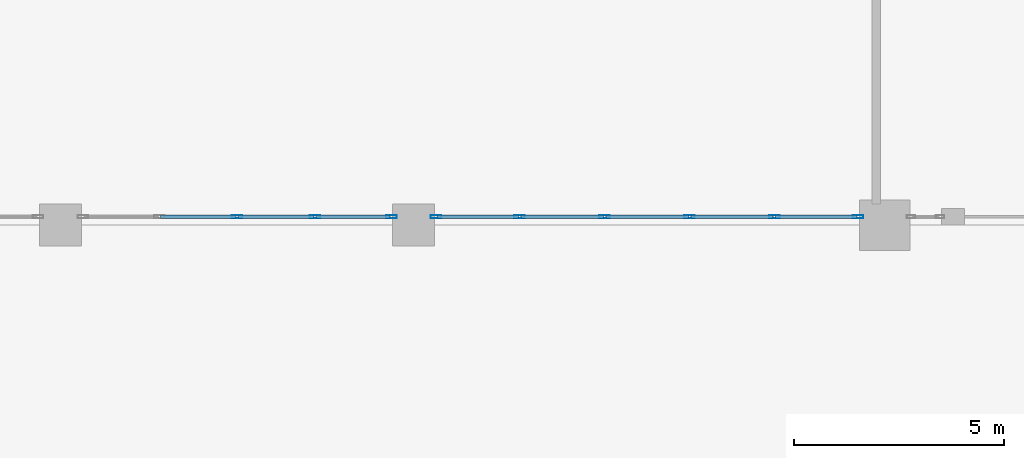
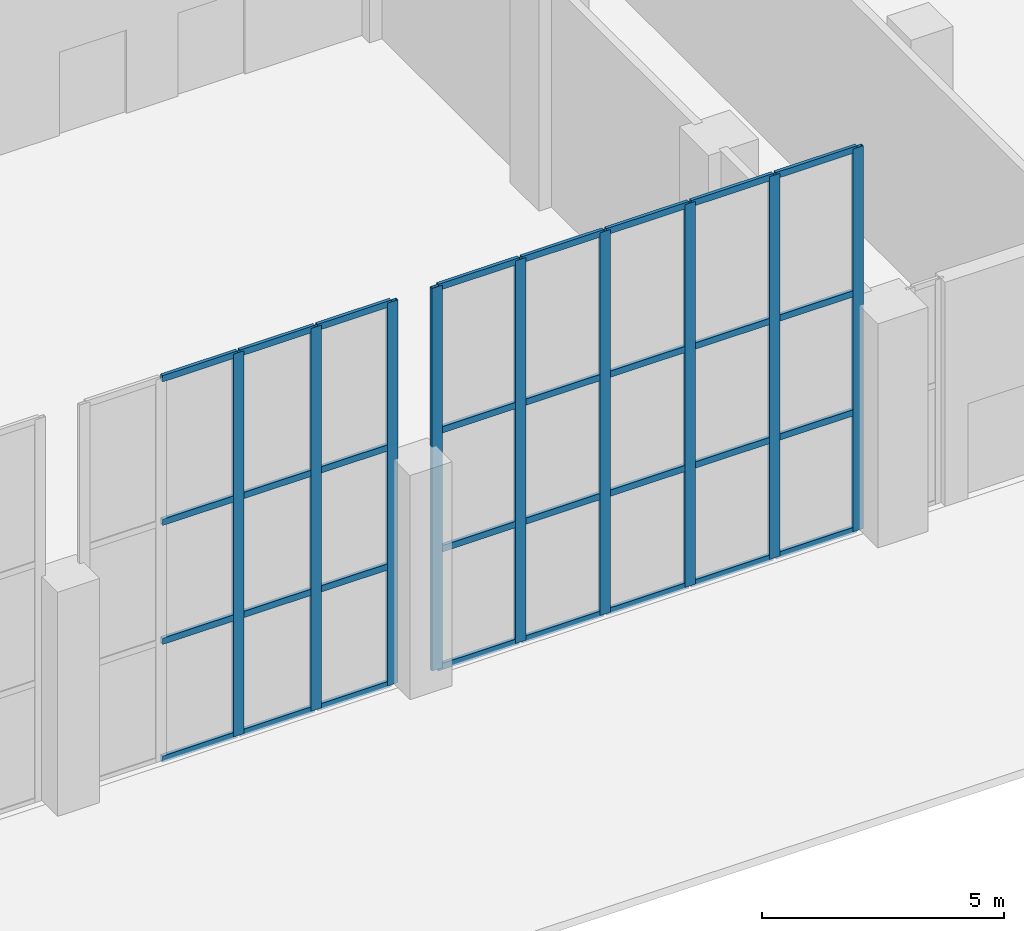
# One storey, part 5 of 25: 41 members, 2 elements without a shape of their own.
"""IFC4 building model written with IfcOpenShell, lengths in metres."""

from ifc_helpers import new_model, si_unit, direction, frame, origin, origin_2d, place, context, subcontext, project, spatial, hollow_rectangle, extrude, material, material_profile, profile_set, type_object, element, aggregate, save


model = new_model("IFC4")

# Units and contexts
model_context = context("Model", 3, precision=1e-05, world=origin(), true_north=direction((0.0, 1.0)))
body_context = subcontext(model_context, "Body", "Model", "MODEL_VIEW")
ifc_project = project(units=[si_unit("LENGTHUNIT", "METRE"), si_unit("AREAUNIT", "SQUARE_METRE"), si_unit("VOLUMEUNIT", "CUBIC_METRE"), si_unit("PLANEANGLEUNIT", "RADIAN"), si_unit("MASSUNIT", "GRAM", prefix="KILO")], contexts=[model_context])

# Site, building, storey
site_placement = place(None, origin())
site = spatial("IfcSite", under=ifc_project, at=site_placement, CompositionType="ELEMENT")
building_placement = place(site_placement, origin())
building = spatial("IfcBuilding", under=site, at=building_placement, Name="Ostrander Bayou Hotel Tower", CompositionType="ELEMENT")
storey_placement = place(building_placement, origin())
storey = spatial("IfcBuildingStorey", under=building, at=storey_placement, Name="L00", CompositionType="ELEMENT", Elevation=0.0)

# Curtain wall, members
ifc_material_1 = material(Name="Aluminium and clear glass", Category="aluminium")
curtain_wall_type = type_object("IfcCurtainWallType", Name="CW-BALL glazed wall", PredefinedType="NOTDEFINED", material=ifc_material_1)
curtain_wall_1_placement = place(storey_placement, origin())
curtain_wall_1 = element("IfcCurtainWall", 1, at=curtain_wall_1_placement, inside=storey, type_object=curtain_wall_type, Name="CW-BALL L00:6", PredefinedType="NOTDEFINED")
ifc_material_2 = material(Name="Aluminium", Category="aluminium")
ifc_material_profile_1 = material_profile(ifc_material_2, hollow_rectangle(XDim=0.080078125, YDim=0.25, WallThickness=0.00390625, at=origin_2d()))
ifc_profile_set_1 = profile_set([ifc_material_profile_1], Name="Aluminium")
member_type_1 = type_object("IfcMemberType", Name="CW-BL mullion 80 x 250 mm", PredefinedType="MULLION", material=ifc_profile_set_1)
member_1_placement = place(storey_placement, frame((-14.6298828125, -50.199951171875, 0.0), z_axis=(0.0, 0.0, 1.0), x_axis=(0.0, -1.0, 0.0)))
member_1 = element("IfcMember", 2, at=member_1_placement, type_object=member_type_1, Name="CW-BALL mullion 1", PredefinedType="MULLION", context=body_context, shape_type="SweptSolid", body=[
    extrude(hollow_rectangle(XDim=0.080078125, YDim=0.25, WallThickness=0.00390625, at=origin_2d()), origin(), (0.0, 0.0, 1.0), 9.64990234375),
])
member_2_placement = place(storey_placement, frame((-16.6201171875, -50.199951171875, 0.0), z_axis=(0.0, 0.0, 1.0), x_axis=(0.0, -1.0, 0.0)))
member_2 = element("IfcMember", 3, at=member_2_placement, type_object=member_type_1, Name="CW-BALL mullion 2", PredefinedType="MULLION", context=body_context, shape_type="SweptSolid", body=[
    extrude(hollow_rectangle(XDim=0.080078125, YDim=0.25, WallThickness=0.00390625, at=origin_2d()), origin(), (0.0, 0.0, 1.0), 9.64990234375),
])
member_3_placement = place(storey_placement, frame((-18.639892578125, -50.199951171875, 0.0), z_axis=(0.0, 0.0, 1.0), x_axis=(0.0, -1.0, 0.0)))
member_3 = element("IfcMember", 4, at=member_3_placement, type_object=member_type_1, Name="CW-BALL mullion 3", PredefinedType="MULLION", context=body_context, shape_type="SweptSolid", body=[
    extrude(hollow_rectangle(XDim=0.080078125, YDim=0.25, WallThickness=0.00390625, at=origin_2d()), origin(), (0.0, 0.0, 1.0), 9.64990234375),
])
member_4_placement = place(storey_placement, frame((-20.659912109375, -50.199951171875, 0.0), z_axis=(0.0, 0.0, 1.0), x_axis=(0.0, -1.0, 0.0)))
member_4 = element("IfcMember", 5, at=member_4_placement, type_object=member_type_1, Name="CW-BALL mullion 4", PredefinedType="MULLION", context=body_context, shape_type="SweptSolid", body=[
    extrude(hollow_rectangle(XDim=0.080078125, YDim=0.25, WallThickness=0.00390625, at=origin_2d()), origin(), (0.0, 0.0, 1.0), 9.64990234375),
])
member_5_placement = place(storey_placement, frame((-22.679931640625, -50.199951171875, 0.0), z_axis=(0.0, 0.0, 1.0), x_axis=(0.0, -1.0, 0.0)))
member_5 = element("IfcMember", 6, at=member_5_placement, type_object=member_type_1, Name="CW-BALL mullion 5", PredefinedType="MULLION", context=body_context, shape_type="SweptSolid", body=[
    extrude(hollow_rectangle(XDim=0.080078125, YDim=0.25, WallThickness=0.00390625, at=origin_2d()), origin(), (0.0, 0.0, 1.0), 9.64990234375),
])
member_6_placement = place(storey_placement, frame((-24.669921875, -50.199951171875, 0.0), z_axis=(0.0, 0.0, 1.0), x_axis=(0.0, -1.0, 0.0)))
member_6 = element("IfcMember", 7, at=member_6_placement, type_object=member_type_1, Name="CW-BALL mullion 6", PredefinedType="MULLION", context=body_context, shape_type="SweptSolid", body=[
    extrude(hollow_rectangle(XDim=0.080078125, YDim=0.25, WallThickness=0.00390625, at=origin_2d()), origin(), (0.0, 0.0, 1.0), 9.64990234375),
])

curtain_wall_2_placement = place(storey_placement, origin())
curtain_wall_2 = element("IfcCurtainWall", 8, at=curtain_wall_2_placement, inside=storey, type_object=curtain_wall_type, Name="CW-BALL L00:7", PredefinedType="NOTDEFINED")
member_7_placement = place(storey_placement, frame((-25.72998046875, -50.199951171875, 0.0), z_axis=(0.0, 0.0, 1.0), x_axis=(0.0, -1.0, 0.0)))
member_7 = element("IfcMember", 9, at=member_7_placement, type_object=member_type_1, Name="CW-BALL mullion 1", PredefinedType="MULLION", context=body_context, shape_type="SweptSolid", body=[
    extrude(hollow_rectangle(XDim=0.080078125, YDim=0.25, WallThickness=0.00390625, at=origin_2d()), origin(), (0.0, 0.0, 1.0), 9.64990234375),
])
member_8_placement = place(storey_placement, frame((-27.550048828125, -50.199951171875, 0.0), z_axis=(0.0, 0.0, 1.0), x_axis=(0.0, -1.0, 0.0)))
member_8 = element("IfcMember", 10, at=member_8_placement, type_object=member_type_1, Name="CW-BALL mullion 2", PredefinedType="MULLION", context=body_context, shape_type="SweptSolid", body=[
    extrude(hollow_rectangle(XDim=0.080078125, YDim=0.25, WallThickness=0.00390625, at=origin_2d()), origin(), (0.0, 0.0, 1.0), 9.64990234375),
])
member_9_placement = place(storey_placement, frame((-29.39990234375, -50.199951171875, 0.0), z_axis=(0.0, 0.0, 1.0), x_axis=(0.0, -1.0, 0.0)))
member_9 = element("IfcMember", 11, at=member_9_placement, type_object=member_type_1, Name="CW-BALL mullion 3", PredefinedType="MULLION", context=body_context, shape_type="SweptSolid", body=[
    extrude(hollow_rectangle(XDim=0.080078125, YDim=0.25, WallThickness=0.00390625, at=origin_2d()), origin(), (0.0, 0.0, 1.0), 9.64990234375),
])

# Member
ifc_material_3 = material(Name="Aluminium", Category="aluminium")
ifc_material_profile_2 = material_profile(ifc_material_3, hollow_rectangle(XDim=0.080078125, YDim=0.159912109375, WallThickness=0.00390625, at=origin_2d()))
ifc_profile_set_2 = profile_set([ifc_material_profile_2], Name="Aluminium")
member_type_2 = type_object("IfcMemberType", Name="CW-BL transom 80 x 160 mm", PredefinedType="USERDEFINED", material=ifc_profile_set_2)
member_10_placement = place(storey_placement, frame((-14.659912109375, -50.199951171875, 0.030029296875), z_axis=(-1.0, 0.0, 0.0), x_axis=(0.0, -1.0, 0.0)))
member_10 = element("IfcMember", 12, at=member_10_placement, type_object=member_type_2, Name="CW-BALL transom 1.1", ObjectType="TRANSOM", PredefinedType="USERDEFINED", context=body_context, shape_type="SweptSolid", body=[
    extrude(hollow_rectangle(XDim=0.080078125, YDim=0.159912109375, WallThickness=0.00390625, at=origin_2d()), origin(), (0.0, 0.0, 1.0), 1.93017578125),
])

member_11_placement = place(storey_placement, frame((-14.659912109375, -50.199951171875, 3.0), z_axis=(-1.0, 0.0, 0.0), x_axis=(0.0, -1.0, 0.0)))
member_11 = element("IfcMember", 13, at=member_11_placement, type_object=member_type_2, Name="CW-BALL transom 1.2", ObjectType="TRANSOM", PredefinedType="USERDEFINED", context=body_context, shape_type="SweptSolid", body=[
    extrude(hollow_rectangle(XDim=0.080078125, YDim=0.159912109375, WallThickness=0.00390625, at=origin_2d()), origin(), (0.0, 0.0, 1.0), 1.93017578125),
])

member_12_placement = place(storey_placement, frame((-14.659912109375, -50.199951171875, 6.0), z_axis=(-1.0, 0.0, 0.0), x_axis=(0.0, -1.0, 0.0)))
member_12 = element("IfcMember", 14, at=member_12_placement, type_object=member_type_2, Name="CW-BALL transom 1.3", ObjectType="TRANSOM", PredefinedType="USERDEFINED", context=body_context, shape_type="SweptSolid", body=[
    extrude(hollow_rectangle(XDim=0.080078125, YDim=0.159912109375, WallThickness=0.00390625, at=origin_2d()), origin(), (0.0, 0.0, 1.0), 1.93017578125),
])

member_13_placement = place(storey_placement, frame((-14.659912109375, -50.199951171875, 9.6201171875), z_axis=(-1.0, 0.0, 0.0), x_axis=(0.0, -1.0, 0.0)))
member_13 = element("IfcMember", 15, at=member_13_placement, type_object=member_type_2, Name="CW-BALL transom 1.4", ObjectType="TRANSOM", PredefinedType="USERDEFINED", context=body_context, shape_type="SweptSolid", body=[
    extrude(hollow_rectangle(XDim=0.080078125, YDim=0.159912109375, WallThickness=0.00390625, at=origin_2d()), origin(), (0.0, 0.0, 1.0), 1.93017578125),
])

member_14_placement = place(storey_placement, frame((-16.64990234375, -50.199951171875, 0.030029296875), z_axis=(-1.0, 0.0, 0.0), x_axis=(0.0, -1.0, 0.0)))
member_14 = element("IfcMember", 16, at=member_14_placement, type_object=member_type_2, Name="CW-BALL transom 2.1", ObjectType="TRANSOM", PredefinedType="USERDEFINED", context=body_context, shape_type="SweptSolid", body=[
    extrude(hollow_rectangle(XDim=0.080078125, YDim=0.159912109375, WallThickness=0.00390625, at=origin_2d()), origin(), (0.0, 0.0, 1.0), 1.960205078125),
])

member_15_placement = place(storey_placement, frame((-16.64990234375, -50.199951171875, 3.0), z_axis=(-1.0, 0.0, 0.0), x_axis=(0.0, -1.0, 0.0)))
member_15 = element("IfcMember", 17, at=member_15_placement, type_object=member_type_2, Name="CW-BALL transom 2.2", ObjectType="TRANSOM", PredefinedType="USERDEFINED", context=body_context, shape_type="SweptSolid", body=[
    extrude(hollow_rectangle(XDim=0.080078125, YDim=0.159912109375, WallThickness=0.00390625, at=origin_2d()), origin(), (0.0, 0.0, 1.0), 1.960205078125),
])

member_16_placement = place(storey_placement, frame((-16.64990234375, -50.199951171875, 6.0), z_axis=(-1.0, 0.0, 0.0), x_axis=(0.0, -1.0, 0.0)))
member_16 = element("IfcMember", 18, at=member_16_placement, type_object=member_type_2, Name="CW-BALL transom 2.3", ObjectType="TRANSOM", PredefinedType="USERDEFINED", context=body_context, shape_type="SweptSolid", body=[
    extrude(hollow_rectangle(XDim=0.080078125, YDim=0.159912109375, WallThickness=0.00390625, at=origin_2d()), origin(), (0.0, 0.0, 1.0), 1.960205078125),
])

member_17_placement = place(storey_placement, frame((-16.64990234375, -50.199951171875, 9.6201171875), z_axis=(-1.0, 0.0, 0.0), x_axis=(0.0, -1.0, 0.0)))
member_17 = element("IfcMember", 19, at=member_17_placement, type_object=member_type_2, Name="CW-BALL transom 2.4", ObjectType="TRANSOM", PredefinedType="USERDEFINED", context=body_context, shape_type="SweptSolid", body=[
    extrude(hollow_rectangle(XDim=0.080078125, YDim=0.159912109375, WallThickness=0.00390625, at=origin_2d()), origin(), (0.0, 0.0, 1.0), 1.960205078125),
])

member_18_placement = place(storey_placement, frame((-18.669921875, -50.199951171875, 0.030029296875), z_axis=(-1.0, 0.0, 0.0), x_axis=(0.0, -1.0, 0.0)))
member_18 = element("IfcMember", 20, at=member_18_placement, type_object=member_type_2, Name="CW-BALL transom 3.1", ObjectType="TRANSOM", PredefinedType="USERDEFINED", context=body_context, shape_type="SweptSolid", body=[
    extrude(hollow_rectangle(XDim=0.080078125, YDim=0.159912109375, WallThickness=0.00390625, at=origin_2d()), origin(), (0.0, 0.0, 1.0), 1.9599609375),
])

member_19_placement = place(storey_placement, frame((-18.669921875, -50.199951171875, 3.0), z_axis=(-1.0, 0.0, 0.0), x_axis=(0.0, -1.0, 0.0)))
member_19 = element("IfcMember", 21, at=member_19_placement, type_object=member_type_2, Name="CW-BALL transom 3.2", ObjectType="TRANSOM", PredefinedType="USERDEFINED", context=body_context, shape_type="SweptSolid", body=[
    extrude(hollow_rectangle(XDim=0.080078125, YDim=0.159912109375, WallThickness=0.00390625, at=origin_2d()), origin(), (0.0, 0.0, 1.0), 1.9599609375),
])

member_20_placement = place(storey_placement, frame((-18.669921875, -50.199951171875, 6.0), z_axis=(-1.0, 0.0, 0.0), x_axis=(0.0, -1.0, 0.0)))
member_20 = element("IfcMember", 22, at=member_20_placement, type_object=member_type_2, Name="CW-BALL transom 3.3", ObjectType="TRANSOM", PredefinedType="USERDEFINED", context=body_context, shape_type="SweptSolid", body=[
    extrude(hollow_rectangle(XDim=0.080078125, YDim=0.159912109375, WallThickness=0.00390625, at=origin_2d()), origin(), (0.0, 0.0, 1.0), 1.9599609375),
])

member_21_placement = place(storey_placement, frame((-18.669921875, -50.199951171875, 9.6201171875), z_axis=(-1.0, 0.0, 0.0), x_axis=(0.0, -1.0, 0.0)))
member_21 = element("IfcMember", 23, at=member_21_placement, type_object=member_type_2, Name="CW-BALL transom 3.4", ObjectType="TRANSOM", PredefinedType="USERDEFINED", context=body_context, shape_type="SweptSolid", body=[
    extrude(hollow_rectangle(XDim=0.080078125, YDim=0.159912109375, WallThickness=0.00390625, at=origin_2d()), origin(), (0.0, 0.0, 1.0), 1.9599609375),
])

member_22_placement = place(storey_placement, frame((-20.68994140625, -50.199951171875, 0.030029296875), z_axis=(-1.0, 0.0, 0.0), x_axis=(0.0, -1.0, 0.0)))
member_22 = element("IfcMember", 24, at=member_22_placement, type_object=member_type_2, Name="CW-BALL transom 4.1", ObjectType="TRANSOM", PredefinedType="USERDEFINED", context=body_context, shape_type="SweptSolid", body=[
    extrude(hollow_rectangle(XDim=0.080078125, YDim=0.159912109375, WallThickness=0.00390625, at=origin_2d()), origin(), (0.0, 0.0, 1.0), 1.9599609375),
])

member_23_placement = place(storey_placement, frame((-20.68994140625, -50.199951171875, 3.0), z_axis=(-1.0, 0.0, 0.0), x_axis=(0.0, -1.0, 0.0)))
member_23 = element("IfcMember", 25, at=member_23_placement, type_object=member_type_2, Name="CW-BALL transom 4.2", ObjectType="TRANSOM", PredefinedType="USERDEFINED", context=body_context, shape_type="SweptSolid", body=[
    extrude(hollow_rectangle(XDim=0.080078125, YDim=0.159912109375, WallThickness=0.00390625, at=origin_2d()), origin(), (0.0, 0.0, 1.0), 1.9599609375),
])

member_24_placement = place(storey_placement, frame((-20.68994140625, -50.199951171875, 6.0), z_axis=(-1.0, 0.0, 0.0), x_axis=(0.0, -1.0, 0.0)))
member_24 = element("IfcMember", 26, at=member_24_placement, type_object=member_type_2, Name="CW-BALL transom 4.3", ObjectType="TRANSOM", PredefinedType="USERDEFINED", context=body_context, shape_type="SweptSolid", body=[
    extrude(hollow_rectangle(XDim=0.080078125, YDim=0.159912109375, WallThickness=0.00390625, at=origin_2d()), origin(), (0.0, 0.0, 1.0), 1.9599609375),
])

member_25_placement = place(storey_placement, frame((-20.68994140625, -50.199951171875, 9.6201171875), z_axis=(-1.0, 0.0, 0.0), x_axis=(0.0, -1.0, 0.0)))
member_25 = element("IfcMember", 27, at=member_25_placement, type_object=member_type_2, Name="CW-BALL transom 4.4", ObjectType="TRANSOM", PredefinedType="USERDEFINED", context=body_context, shape_type="SweptSolid", body=[
    extrude(hollow_rectangle(XDim=0.080078125, YDim=0.159912109375, WallThickness=0.00390625, at=origin_2d()), origin(), (0.0, 0.0, 1.0), 1.9599609375),
])

member_26_placement = place(storey_placement, frame((-22.7099609375, -50.199951171875, 0.030029296875), z_axis=(-1.0, 0.0, 0.0), x_axis=(0.0, -1.0, 0.0)))
member_26 = element("IfcMember", 28, at=member_26_placement, type_object=member_type_2, Name="CW-BALL transom 5.1", ObjectType="TRANSOM", PredefinedType="USERDEFINED", context=body_context, shape_type="SweptSolid", body=[
    extrude(hollow_rectangle(XDim=0.080078125, YDim=0.159912109375, WallThickness=0.00390625, at=origin_2d()), origin(), (0.0, 0.0, 1.0), 1.929931640625),
])

member_27_placement = place(storey_placement, frame((-22.7099609375, -50.199951171875, 3.0), z_axis=(-1.0, 0.0, 0.0), x_axis=(0.0, -1.0, 0.0)))
member_27 = element("IfcMember", 29, at=member_27_placement, type_object=member_type_2, Name="CW-BALL transom 5.2", ObjectType="TRANSOM", PredefinedType="USERDEFINED", context=body_context, shape_type="SweptSolid", body=[
    extrude(hollow_rectangle(XDim=0.080078125, YDim=0.159912109375, WallThickness=0.00390625, at=origin_2d()), origin(), (0.0, 0.0, 1.0), 1.929931640625),
])

member_28_placement = place(storey_placement, frame((-22.7099609375, -50.199951171875, 6.0), z_axis=(-1.0, 0.0, 0.0), x_axis=(0.0, -1.0, 0.0)))
member_28 = element("IfcMember", 30, at=member_28_placement, type_object=member_type_2, Name="CW-BALL transom 5.3", ObjectType="TRANSOM", PredefinedType="USERDEFINED", context=body_context, shape_type="SweptSolid", body=[
    extrude(hollow_rectangle(XDim=0.080078125, YDim=0.159912109375, WallThickness=0.00390625, at=origin_2d()), origin(), (0.0, 0.0, 1.0), 1.929931640625),
])

member_29_placement = place(storey_placement, frame((-22.7099609375, -50.199951171875, 9.6201171875), z_axis=(-1.0, 0.0, 0.0), x_axis=(0.0, -1.0, 0.0)))
member_29 = element("IfcMember", 31, at=member_29_placement, type_object=member_type_2, Name="CW-BALL transom 5.4", ObjectType="TRANSOM", PredefinedType="USERDEFINED", context=body_context, shape_type="SweptSolid", body=[
    extrude(hollow_rectangle(XDim=0.080078125, YDim=0.159912109375, WallThickness=0.00390625, at=origin_2d()), origin(), (0.0, 0.0, 1.0), 1.929931640625),
])

aggregate(curtain_wall_1, [member_1, member_2, member_3, member_4, member_5, member_6, member_10, member_11, member_12, member_13, member_14, member_15, member_16, member_17, member_18, member_19, member_20, member_21, member_22, member_23, member_24, member_25, member_26, member_27, member_28, member_29])

member_30_placement = place(storey_placement, frame((-25.760009765625, -50.199951171875, 0.030029296875), z_axis=(-1.0, 0.0, 0.0), x_axis=(0.0, -1.0, 0.0)))
member_30 = element("IfcMember", 32, at=member_30_placement, type_object=member_type_2, Name="CW-BALL transom 1.1", ObjectType="TRANSOM", PredefinedType="USERDEFINED", context=body_context, shape_type="SweptSolid", body=[
    extrude(hollow_rectangle(XDim=0.080078125, YDim=0.159912109375, WallThickness=0.00390625, at=origin_2d()), origin(), (0.0, 0.0, 1.0), 1.760009765625),
])

member_31_placement = place(storey_placement, frame((-25.760009765625, -50.199951171875, 3.0), z_axis=(-1.0, 0.0, 0.0), x_axis=(0.0, -1.0, 0.0)))
member_31 = element("IfcMember", 33, at=member_31_placement, type_object=member_type_2, Name="CW-BALL transom 1.2", ObjectType="TRANSOM", PredefinedType="USERDEFINED", context=body_context, shape_type="SweptSolid", body=[
    extrude(hollow_rectangle(XDim=0.080078125, YDim=0.159912109375, WallThickness=0.00390625, at=origin_2d()), origin(), (0.0, 0.0, 1.0), 1.760009765625),
])

member_32_placement = place(storey_placement, frame((-25.760009765625, -50.199951171875, 6.0), z_axis=(-1.0, 0.0, 0.0), x_axis=(0.0, -1.0, 0.0)))
member_32 = element("IfcMember", 34, at=member_32_placement, type_object=member_type_2, Name="CW-BALL transom 1.3", ObjectType="TRANSOM", PredefinedType="USERDEFINED", context=body_context, shape_type="SweptSolid", body=[
    extrude(hollow_rectangle(XDim=0.080078125, YDim=0.159912109375, WallThickness=0.00390625, at=origin_2d()), origin(), (0.0, 0.0, 1.0), 1.760009765625),
])

member_33_placement = place(storey_placement, frame((-25.760009765625, -50.199951171875, 9.6201171875), z_axis=(-1.0, 0.0, 0.0), x_axis=(0.0, -1.0, 0.0)))
member_33 = element("IfcMember", 35, at=member_33_placement, type_object=member_type_2, Name="CW-BALL transom 1.4", ObjectType="TRANSOM", PredefinedType="USERDEFINED", context=body_context, shape_type="SweptSolid", body=[
    extrude(hollow_rectangle(XDim=0.080078125, YDim=0.159912109375, WallThickness=0.00390625, at=origin_2d()), origin(), (0.0, 0.0, 1.0), 1.760009765625),
])

member_34_placement = place(storey_placement, frame((-27.580078125, -50.199951171875, 0.030029296875), z_axis=(-1.0, 0.0, 0.0), x_axis=(0.0, -1.0, 0.0)))
member_34 = element("IfcMember", 36, at=member_34_placement, type_object=member_type_2, Name="CW-BALL transom 2.1", ObjectType="TRANSOM", PredefinedType="USERDEFINED", context=body_context, shape_type="SweptSolid", body=[
    extrude(hollow_rectangle(XDim=0.080078125, YDim=0.159912109375, WallThickness=0.00390625, at=origin_2d()), origin(), (0.0, 0.0, 1.0), 1.7900390625),
])

member_35_placement = place(storey_placement, frame((-27.580078125, -50.199951171875, 3.0), z_axis=(-1.0, 0.0, 0.0), x_axis=(0.0, -1.0, 0.0)))
member_35 = element("IfcMember", 37, at=member_35_placement, type_object=member_type_2, Name="CW-BALL transom 2.2", ObjectType="TRANSOM", PredefinedType="USERDEFINED", context=body_context, shape_type="SweptSolid", body=[
    extrude(hollow_rectangle(XDim=0.080078125, YDim=0.159912109375, WallThickness=0.00390625, at=origin_2d()), origin(), (0.0, 0.0, 1.0), 1.7900390625),
])

member_36_placement = place(storey_placement, frame((-27.580078125, -50.199951171875, 6.0), z_axis=(-1.0, 0.0, 0.0), x_axis=(0.0, -1.0, 0.0)))
member_36 = element("IfcMember", 38, at=member_36_placement, type_object=member_type_2, Name="CW-BALL transom 2.3", ObjectType="TRANSOM", PredefinedType="USERDEFINED", context=body_context, shape_type="SweptSolid", body=[
    extrude(hollow_rectangle(XDim=0.080078125, YDim=0.159912109375, WallThickness=0.00390625, at=origin_2d()), origin(), (0.0, 0.0, 1.0), 1.7900390625),
])

member_37_placement = place(storey_placement, frame((-27.580078125, -50.199951171875, 9.6201171875), z_axis=(-1.0, 0.0, 0.0), x_axis=(0.0, -1.0, 0.0)))
member_37 = element("IfcMember", 39, at=member_37_placement, type_object=member_type_2, Name="CW-BALL transom 2.4", ObjectType="TRANSOM", PredefinedType="USERDEFINED", context=body_context, shape_type="SweptSolid", body=[
    extrude(hollow_rectangle(XDim=0.080078125, YDim=0.159912109375, WallThickness=0.00390625, at=origin_2d()), origin(), (0.0, 0.0, 1.0), 1.7900390625),
])

member_38_placement = place(storey_placement, frame((-29.429931640625, -50.199951171875, 0.030029296875), z_axis=(-1.0, 0.0, 0.0), x_axis=(0.0, -1.0, 0.0)))
member_38 = element("IfcMember", 40, at=member_38_placement, type_object=member_type_2, Name="CW-BALL transom 3.1", ObjectType="TRANSOM", PredefinedType="USERDEFINED", context=body_context, shape_type="SweptSolid", body=[
    extrude(hollow_rectangle(XDim=0.080078125, YDim=0.159912109375, WallThickness=0.00390625, at=origin_2d()), origin(), (0.0, 0.0, 1.0), 1.7900390625),
])

member_39_placement = place(storey_placement, frame((-29.429931640625, -50.199951171875, 3.0), z_axis=(-1.0, 0.0, 0.0), x_axis=(0.0, -1.0, 0.0)))
member_39 = element("IfcMember", 41, at=member_39_placement, type_object=member_type_2, Name="CW-BALL transom 3.2", ObjectType="TRANSOM", PredefinedType="USERDEFINED", context=body_context, shape_type="SweptSolid", body=[
    extrude(hollow_rectangle(XDim=0.080078125, YDim=0.159912109375, WallThickness=0.00390625, at=origin_2d()), origin(), (0.0, 0.0, 1.0), 1.7900390625),
])

member_40_placement = place(storey_placement, frame((-29.429931640625, -50.199951171875, 6.0), z_axis=(-1.0, 0.0, 0.0), x_axis=(0.0, -1.0, 0.0)))
member_40 = element("IfcMember", 42, at=member_40_placement, type_object=member_type_2, Name="CW-BALL transom 3.3", ObjectType="TRANSOM", PredefinedType="USERDEFINED", context=body_context, shape_type="SweptSolid", body=[
    extrude(hollow_rectangle(XDim=0.080078125, YDim=0.159912109375, WallThickness=0.00390625, at=origin_2d()), origin(), (0.0, 0.0, 1.0), 1.7900390625),
])

member_41_placement = place(storey_placement, frame((-29.429931640625, -50.199951171875, 9.6201171875), z_axis=(-1.0, 0.0, 0.0), x_axis=(0.0, -1.0, 0.0)))
member_41 = element("IfcMember", 43, at=member_41_placement, type_object=member_type_2, Name="CW-BALL transom 3.4", ObjectType="TRANSOM", PredefinedType="USERDEFINED", context=body_context, shape_type="SweptSolid", body=[
    extrude(hollow_rectangle(XDim=0.080078125, YDim=0.159912109375, WallThickness=0.00390625, at=origin_2d()), origin(), (0.0, 0.0, 1.0), 1.7900390625),
])

aggregate(curtain_wall_2, [member_7, member_8, member_9, member_30, member_31, member_32, member_33, member_34, member_35, member_36, member_37, member_38, member_39, member_40, member_41])

save(model, "model.ifc")
